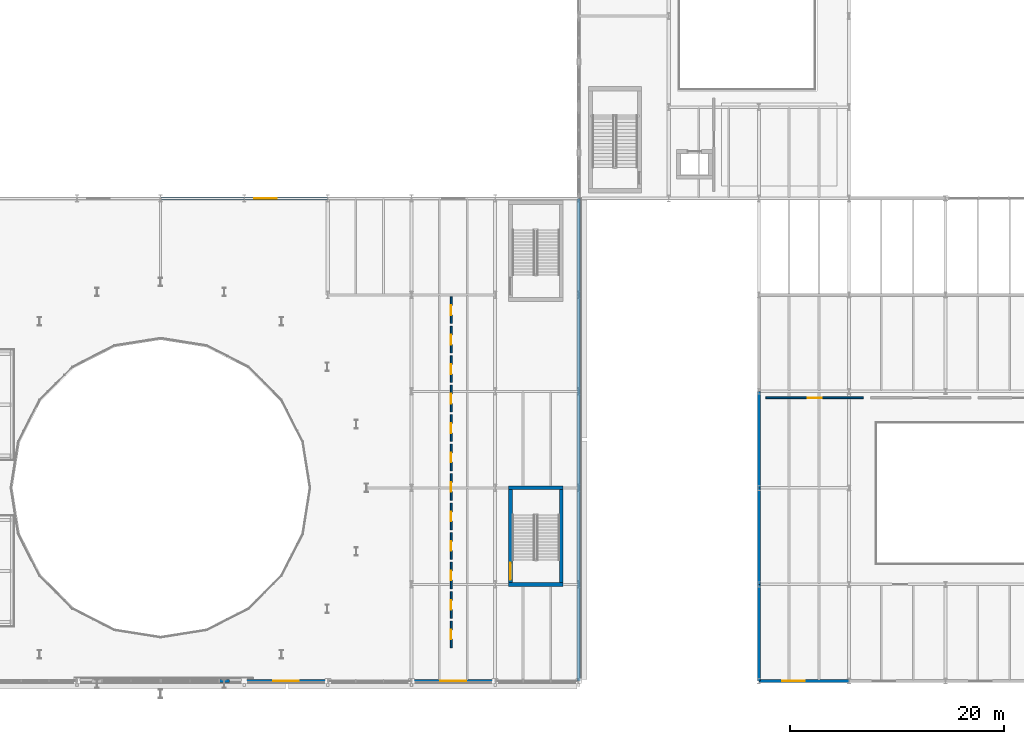
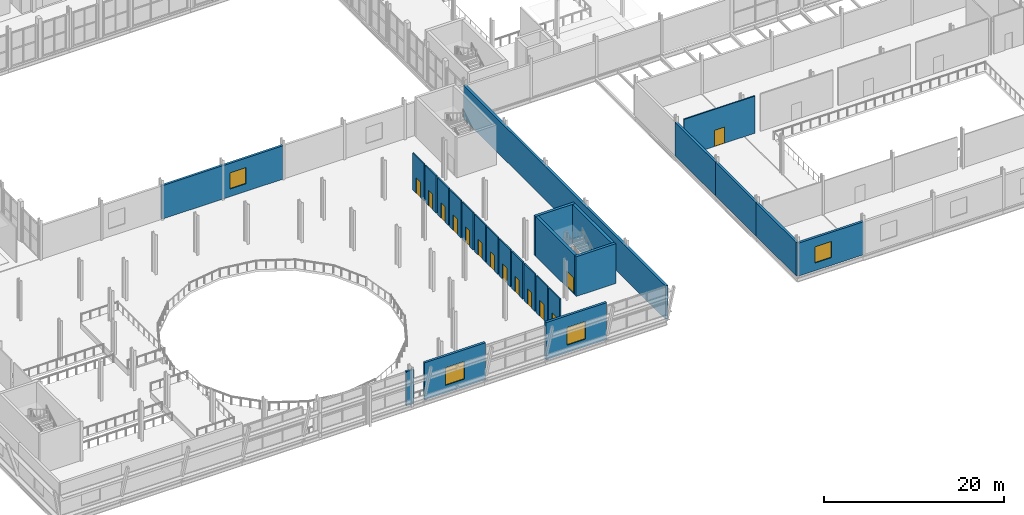
# One storey, part 52 of 78: 26 walls, 14 doors, 4 windows, 18 openings.
"""IFC4 building model written with IfcOpenShell, lengths in metres."""

from ifc_helpers import new_model, si_unit, direction, frame, frame_2d, origin, place, context, subcontext, project, spatial, rectangle, extrude, material, layer, layer_set, type_object, element, fill, save


model = new_model("IFC4")

# Units and contexts
model_context = context("Model", 3, precision=1e-05, world=origin(), true_north=direction((0.0, 1.0)))
body_context = subcontext(model_context, "Body", "Model", "MODEL_VIEW")
ifc_project = project(units=[si_unit("LENGTHUNIT", "METRE"), si_unit("AREAUNIT", "SQUARE_METRE"), si_unit("VOLUMEUNIT", "CUBIC_METRE"), si_unit("PLANEANGLEUNIT", "RADIAN"), si_unit("MASSUNIT", "GRAM", prefix="KILO")], contexts=[model_context])

# Site, building, storey
site_placement = place(None, origin())
site = spatial("IfcSite", under=ifc_project, at=site_placement, CompositionType="ELEMENT")
building_placement = place(site_placement, origin())
building = spatial("IfcBuilding", under=site, at=building_placement, Name="Sefraquen Railside Congress Hotel", CompositionType="ELEMENT")
storey_placement = place(building_placement, frame((0.0, 0.0, 6.0)))
storey = spatial("IfcBuildingStorey", under=building, at=storey_placement, Name="L01", CompositionType="ELEMENT", Elevation=6.0)

# Walls
ifc_material_1 = material(Name="Concrete C50/60", Category="concrete")
ifc_layer_1 = layer(ifc_material_1, 0.35009765625)
ifc_layer_set_1 = layer_set([ifc_layer_1], Name="Concrete C50/60")
wall_type_1 = type_object("IfcWallType", Name="TW-CW-350", PredefinedType="SHEAR", material=ifc_layer_set_1)
for number, where, z_axis, x_axis, name in (
    (1, (96.64990234375, 27.014892578125, 0.0), (0.0, 0.0, 1.0), (1.0, 0.0, 0.0), "Core shear wall ST-C03 N L01"),
    (2, (96.64990234375, 17.985107421875, 0.0), (0.0, 0.0, 1.0), (1.0, 0.0, 0.0), "Core shear wall ST-C03 S L01"),
):
    element("IfcWall", number, at=place(storey_placement, frame(where, z_axis=z_axis, x_axis=x_axis)), inside=storey, type_object=wall_type_1, Name=name, PredefinedType="SHEAR", context=body_context, shape_type="SweptSolid", body=[
        extrude(rectangle(XDim=5.10009765625, YDim=0.35009765625, at=frame_2d((2.550048828125, 0.0))), origin(), (0.0, 0.0, 1.0), 5.39990234375),
    ])

# Wall, opening, door
wall_1_placement = place(storey_placement, frame((96.824951171875, 18.159912109375, 0.0), z_axis=(0.0, 0.0, 1.0), x_axis=(0.0, 1.0, 0.0)))
wall_1 = element("IfcWall", 3, at=wall_1_placement, inside=storey, type_object=wall_type_1, Name="Core shear wall ST-C03 W L01", PredefinedType="SHEAR", context=body_context, shape_type="SweptSolid", body=[
    extrude(rectangle(XDim=8.68017578125, YDim=0.35009765625, at=frame_2d((4.340087890625, 0.0))), origin(), (0.0, 0.0, 1.0), 5.39990234375),
])
opening_1_placement = place(wall_1_placement, frame((0.25, 0.0, 0.0)))
opening_1 = element("IfcOpeningElement", 4, at=opening_1_placement, cuts=wall_1, Name="Opening FD-02", PredefinedType="OPENING", context=body_context, shape_type="SweptSolid", body=[
    extrude(rectangle(XDim=1.60009765625, YDim=2.199951171875, at=frame_2d((0.800048828125, 1.10009765625))), frame((0.0, 0.18505859375, 0.0), z_axis=(0.0, -1.0, 0.0), x_axis=(1.0, 0.0, 0.0)), (0.0, 0.0, 1.0), 0.3701171875),
])
ifc_material_2 = material(Name="Fire-rated steel", Category="steel")
door_type_1 = type_object("IfcDoorType", Name="TD-FD-02", OperationType="NOTDEFINED", PredefinedType="DOOR", material=ifc_material_2)
door_1_placement = place(opening_1_placement, origin())
door_1 = element("IfcDoor", 5, at=door_1_placement, inside=storey, type_object=door_type_1, Name="Pressurized stair ST-C03 fire door L01", OperationType="SINGLE_SWING_LEFT", OverallHeight=2.199951171875, OverallWidth=1.60009765625, PredefinedType="DOOR", context=body_context, shape_type="SweptSolid", body=[
    extrude(rectangle(XDim=1.60009765625, YDim=2.199951171875, at=frame_2d((0.800048828125, 1.10009765625))), frame((0.0, 0.02490234375, 0.0), z_axis=(0.0, -1.0, 0.0), x_axis=(1.0, 0.0, 0.0)), (0.0, 0.0, 1.0), 0.050048828125),
])
fill(opening_1, door_1)

# Walls
wall_2_placement = place(storey_placement, frame((101.574951171875, 18.159912109375, 0.0), z_axis=(0.0, 0.0, 1.0), x_axis=(0.0, 1.0, 0.0)))
element("IfcWall", 6, at=wall_2_placement, inside=storey, type_object=wall_type_1, Name="Core shear wall ST-C03 E L01", PredefinedType="SHEAR", context=body_context, shape_type="SweptSolid", body=[
    extrude(rectangle(XDim=8.68017578125, YDim=0.35009765625, at=frame_2d((4.340087890625, 0.0))), origin(), (0.0, 0.0, 1.0), 5.39990234375),
])
ifc_material_3 = material(Name="Ochre Rabat calcarenite limestone and Concrete C40/50 backing", Category="masonry")
ifc_layer_2 = layer(ifc_material_3, 0.280029296875)
ifc_layer_set_2 = layer_set([ifc_layer_2], Name="Ochre Rabat calcarenite limestone and Concrete C40/50 backing")
wall_type_2 = type_object("IfcWallType", Name="TW-EW-280", PredefinedType="STANDARD", material=ifc_layer_set_2)
wall_3_placement = place(storey_placement, frame((69.653076171875, 9.0, 0.0), z_axis=(0.0, 0.0, 1.0), x_axis=(1.0, 0.0, 0.0)))
element("IfcWall", 7, at=wall_3_placement, inside=storey, type_object=wall_type_2, Name="Congress leaning south curtain wall L01-6 column pier closure 1", PredefinedType="STANDARD", context=body_context, shape_type="SweptSolid", body=[
    extrude(rectangle(XDim=0.9599609375, YDim=0.260009765625, at=frame_2d((0.47998046875, 0.0))), origin(), (0.0, 0.0, 1.0), 4.64990234375),
])

# Wall, opening, window
wall_4_placement = place(storey_placement, frame((64.199951171875, 54.0, 0.0), z_axis=(0.0, 0.0, 1.0), x_axis=(1.0, 0.0, 0.0)))
wall_4 = element("IfcWall", 8, at=wall_4_placement, inside=storey, type_object=wall_type_2, Name="Congress Hall L01 courtyard north facade wall 2", PredefinedType="STANDARD", context=body_context, shape_type="SweptSolid", body=[
    extrude(rectangle(XDim=15.60009765625, YDim=0.280029296875, at=frame_2d((7.800048828125, 0.0))), origin(), (0.0, 0.0, 1.0), 4.5400390625),
])
opening_2_placement = place(wall_4_placement, frame((8.75, 0.0, 1.050048828125)))
opening_2 = element("IfcOpeningElement", 9, at=opening_2_placement, cuts=wall_4, Name="Opening WN-07", PredefinedType="OPENING", context=body_context, shape_type="SweptSolid", body=[
    extrude(rectangle(XDim=2.10009765625, YDim=2.199951171875, at=frame_2d((1.050048828125, 1.10009765625))), frame((0.0, 0.14990234375, 0.0), z_axis=(0.0, -1.0, 0.0), x_axis=(1.0, 0.0, 0.0)), (0.0, 0.0, 1.0), 0.300048828125),
])
ifc_material_4 = material(Name="Solar-control low-E double glazing in bronze-anodised frame", Category="glass")
window_type_1 = type_object("IfcWindowType", Name="TWN-W-07", PartitioningType="DOUBLE_PANEL_VERTICAL", PredefinedType="WINDOW", material=ifc_material_4)
window_1_placement = place(opening_2_placement, origin())
window_1 = element("IfcWindow", 10, at=window_1_placement, inside=storey, type_object=window_type_1, Name="Congress courtyard north window L01-2", OverallHeight=2.199951171875, OverallWidth=2.10009765625, PartitioningType="DOUBLE_PANEL_VERTICAL", PredefinedType="WINDOW", context=body_context, shape_type="SweptSolid", body=[
    extrude(rectangle(XDim=2.10009765625, YDim=2.199951171875, at=frame_2d((1.050048828125, 1.10009765625))), frame((0.0, 0.030029296875, 0.0), z_axis=(0.0, -1.0, 0.0), x_axis=(1.0, 0.0, 0.0)), (0.0, 0.0, 1.0), 0.06005859375),
])
fill(opening_2, window_1)

ifc_layer_3 = layer(ifc_material_3, 0.300048828125)
ifc_layer_set_3 = layer_set([ifc_layer_3], Name="Ochre Rabat calcarenite limestone and Concrete C40/50 backing")
wall_type_3 = type_object("IfcWallType", Name="TW-EW-300", PredefinedType="STANDARD", material=ifc_layer_set_3)
wall_5_placement = place(storey_placement, frame((72.0, 9.0, 0.0), z_axis=(0.0, 0.0, 1.0), x_axis=(1.0, 0.0, 0.0)))
wall_5 = element("IfcWall", 11, at=wall_5_placement, inside=storey, type_object=wall_type_3, Name="Congress Hall L01 south spandrel wall 7", PredefinedType="STANDARD", context=body_context, shape_type="SweptSolid", body=[
    extrude(rectangle(XDim=7.800048828125, YDim=0.300048828125, at=frame_2d((3.89990234375, 0.0))), origin(), (0.0, 0.0, 1.0), 5.050048828125),
])
opening_3_placement = place(wall_5_placement, frame((2.699951171875, 0.0, 1.050048828125)))
opening_3 = element("IfcOpeningElement", 12, at=opening_3_placement, cuts=wall_5, Name="Opening WN-09", PredefinedType="OPENING", context=body_context, shape_type="SweptSolid", body=[
    extrude(rectangle(XDim=2.39990234375, YDim=2.39990234375, at=frame_2d((1.199951171875, 1.199951171875))), frame((0.0, 0.159912109375, 0.0), z_axis=(0.0, -1.0, 0.0), x_axis=(1.0, 0.0, 0.0)), (0.0, 0.0, 1.0), 0.320068359375),
])
window_type_2 = type_object("IfcWindowType", Name="TWN-W-09", PartitioningType="DOUBLE_PANEL_VERTICAL", PredefinedType="WINDOW", material=ifc_material_4)
window_2_placement = place(opening_3_placement, origin())
window_2 = element("IfcWindow", 13, at=window_2_placement, inside=storey, type_object=window_type_2, Name="Congress south arched window L01-7", OverallHeight=2.39990234375, OverallWidth=2.39990234375, PartitioningType="DOUBLE_PANEL_VERTICAL", PredefinedType="WINDOW", context=body_context, shape_type="SweptSolid", body=[
    extrude(rectangle(XDim=2.39990234375, YDim=2.39990234375, at=frame_2d((1.199951171875, 1.199951171875))), frame((0.0, 0.030029296875, 0.0), z_axis=(0.0, -1.0, 0.0), x_axis=(1.0, 0.0, 0.0)), (0.0, 0.0, 1.0), 0.06005859375),
])
fill(opening_3, window_2)

wall_6_placement = place(storey_placement, frame((87.60009765625, 9.0, 0.0), z_axis=(0.0, 0.0, 1.0), x_axis=(1.0, 0.0, 0.0)))
wall_6 = element("IfcWall", 14, at=wall_6_placement, inside=storey, type_object=wall_type_3, Name="Congress Hall L01 south spandrel wall 9", PredefinedType="STANDARD", context=body_context, shape_type="SweptSolid", body=[
    extrude(rectangle(XDim=7.7998046875, YDim=0.300048828125, at=frame_2d((3.89990234375, 0.0))), origin(), (0.0, 0.0, 1.0), 5.050048828125),
])
opening_4_placement = place(wall_6_placement, frame((2.699951171875, 0.0, 1.050048828125)))
opening_4 = element("IfcOpeningElement", 15, at=opening_4_placement, cuts=wall_6, Name="Opening WN-09", PredefinedType="OPENING", context=body_context, shape_type="SweptSolid", body=[
    extrude(rectangle(XDim=2.39990234375, YDim=2.39990234375, at=frame_2d((1.199951171875, 1.199951171875))), frame((0.0, 0.159912109375, 0.0), z_axis=(0.0, -1.0, 0.0), x_axis=(1.0, 0.0, 0.0)), (0.0, 0.0, 1.0), 0.320068359375),
])
window_3_placement = place(opening_4_placement, origin())
window_3 = element("IfcWindow", 16, at=window_3_placement, inside=storey, type_object=window_type_2, Name="Congress south arched window L01-9", OverallHeight=2.39990234375, OverallWidth=2.39990234375, PartitioningType="DOUBLE_PANEL_VERTICAL", PredefinedType="WINDOW", context=body_context, shape_type="SweptSolid", body=[
    extrude(rectangle(XDim=2.39990234375, YDim=2.39990234375, at=frame_2d((1.199951171875, 1.199951171875))), frame((0.0, 0.030029296875, 0.0), z_axis=(0.0, -1.0, 0.0), x_axis=(1.0, 0.0, 0.0)), (0.0, 0.0, 1.0), 0.06005859375),
])
fill(opening_4, window_3)

wall_7_placement = place(storey_placement, frame((120.0, 9.0, 0.0), z_axis=(0.0, 0.0, 1.0), x_axis=(1.0, 0.0, 0.0)))
wall_7 = element("IfcWall", 17, at=wall_7_placement, inside=storey, type_object=wall_type_3, Name="Thermal Spa L01 south limestone wall 1", PredefinedType="STANDARD", context=body_context, shape_type="SweptSolid", body=[
    extrude(rectangle(XDim=8.39990234375, YDim=0.300048828125, at=frame_2d((4.199951171875, 0.0))), origin(), (0.0, 0.0, 1.0), 4.489990234375),
])
opening_5_placement = place(wall_7_placement, frame((2.199951171875, 0.0, 1.050048828125)))
opening_5 = element("IfcOpeningElement", 18, at=opening_5_placement, cuts=wall_7, Name="Opening WN-07", PredefinedType="OPENING", context=body_context, shape_type="SweptSolid", body=[
    extrude(rectangle(XDim=2.10009765625, YDim=2.199951171875, at=frame_2d((1.050048828125, 1.10009765625))), frame((0.0, 0.159912109375, 0.0), z_axis=(0.0, -1.0, 0.0), x_axis=(1.0, 0.0, 0.0)), (0.0, 0.0, 1.0), 0.320068359375),
])
window_4_placement = place(opening_5_placement, origin())
window_4 = element("IfcWindow", 19, at=window_4_placement, inside=storey, type_object=window_type_1, Name="Thermal Spa L01 south window 1", OverallHeight=2.199951171875, OverallWidth=2.10009765625, PartitioningType="DOUBLE_PANEL_VERTICAL", PredefinedType="WINDOW", context=body_context, shape_type="SweptSolid", body=[
    extrude(rectangle(XDim=2.10009765625, YDim=2.199951171875, at=frame_2d((1.050048828125, 1.10009765625))), frame((0.0, 0.030029296875, 0.0), z_axis=(0.0, -1.0, 0.0), x_axis=(1.0, 0.0, 0.0)), (0.0, 0.0, 1.0), 0.06005859375),
])
fill(opening_5, window_4)

# Walls
for number, where, z_axis, x_axis, name in (
    (20, (120.0, 9.0, 0.0), (0.0, 0.0, 1.0), (0.0, 1.0, 0.0), "Thermal Spa L01 west facade wall 1"),
    (21, (120.0, 18.0, 0.0), (0.0, 0.0, 1.0), (0.0, 1.0, 0.0), "Thermal Spa L01 west facade wall 2"),
    (22, (120.0, 27.0, 0.0), (0.0, 0.0, 1.0), (0.0, 1.0, 0.0), "Thermal Spa L01 west facade wall 3"),
):
    element("IfcWall", number, at=place(storey_placement, frame(where, z_axis=z_axis, x_axis=x_axis)), inside=storey, type_object=wall_type_3, Name=name, PredefinedType="STANDARD", context=body_context, shape_type="SweptSolid", body=[
        extrude(rectangle(XDim=9.0, YDim=0.300048828125, at=frame_2d((4.5, 0.0))), origin(), (0.0, 0.0, 1.0), 4.550048828125),
    ])
ifc_layer_4 = layer(ifc_material_3, 0.320068359375)
ifc_layer_set_4 = layer_set([ifc_layer_4], Name="Ochre Rabat calcarenite limestone and Concrete C40/50 backing")
wall_type_4 = type_object("IfcWallType", Name="TW-EW-320", PredefinedType="STANDARD", material=ifc_layer_set_4)
wall_8_placement = place(storey_placement, frame((103.199951171875, 9.0, 0.0), z_axis=(0.0, 0.0, 1.0), x_axis=(0.0, 1.0, 0.0)))
element("IfcWall", 23, at=wall_8_placement, inside=storey, type_object=wall_type_4, Name="Congress Hall L01 east acoustic facade wall", PredefinedType="STANDARD", context=body_context, shape_type="SweptSolid", body=[
    extrude(rectangle(XDim=45.0, YDim=0.320068359375, at=frame_2d((22.5, 0.0))), origin(), (0.0, 0.0, 1.0), 4.550048828125),
])

# Wall, opening, door
ifc_material_5 = material(Name="Moisture-resistant gypsum board", Category="gypsum")
ifc_layer_5 = layer(ifc_material_5, 0.159912109375)
ifc_layer_set_5 = layer_set([ifc_layer_5], Name="Moisture-resistant gypsum board")
wall_type_5 = type_object("IfcWallType", Name="TW-PW-160", PredefinedType="PARTITIONING", material=ifc_layer_set_5)
wall_9_placement = place(storey_placement, frame((120.64990234375, 35.39990234375, 0.0), z_axis=(0.0, 0.0, 1.0), x_axis=(1.0, 0.0, 0.0)))
wall_9 = element("IfcWall", 24, at=wall_9_placement, inside=storey, type_object=wall_type_5, Name="Spa Treatment Room 01 enclosure wall", PredefinedType="PARTITIONING", context=body_context, shape_type="SweptSolid", body=[
    extrude(rectangle(XDim=9.10009765625, YDim=0.159912109375, at=frame_2d((4.550048828125, 0.0))), origin(), (0.0, 0.0, 1.0), 5.050048828125),
])
opening_6_placement = place(wall_9_placement, frame((3.89990234375, 0.0, 0.0)))
opening_6 = element("IfcOpeningElement", 25, at=opening_6_placement, cuts=wall_9, Name="Opening MD-02", PredefinedType="OPENING", context=body_context, shape_type="SweptSolid", body=[
    extrude(rectangle(XDim=1.300048828125, YDim=2.199951171875, at=frame_2d((0.64990234375, 1.10009765625))), frame((0.0, 0.08984375, 0.0), z_axis=(0.0, -1.0, 0.0), x_axis=(1.0, 0.0, 0.0)), (0.0, 0.0, 1.0), 0.179931640625),
])
ifc_material_6 = material(Name="Acoustic cedar veneer", Category="wood")
door_type_2 = type_object("IfcDoorType", Name="TD-MD-02", OperationType="NOTDEFINED", PredefinedType="DOOR", material=ifc_material_6)
door_2_placement = place(opening_6_placement, origin())
door_2 = element("IfcDoor", 26, at=door_2_placement, inside=storey, type_object=door_type_2, Name="Spa Treatment Room 01 entrance door", OperationType="SINGLE_SWING_RIGHT", OverallHeight=2.199951171875, OverallWidth=1.300048828125, PredefinedType="DOOR", context=body_context, shape_type="SweptSolid", body=[
    extrude(rectangle(XDim=1.300048828125, YDim=2.199951171875, at=frame_2d((0.64990234375, 1.10009765625))), frame((0.0, 0.02490234375, 0.0), z_axis=(0.0, -1.0, 0.0), x_axis=(1.0, 0.0, 0.0)), (0.0, 0.0, 1.0), 0.050048828125),
])
fill(opening_6, door_2)

wall_10_placement = place(storey_placement, frame((91.300048828125, 12.080078125, 0.0), z_axis=(0.0, 0.0, 1.0), x_axis=(0.0, 1.0, 0.0)))
wall_10 = element("IfcWall", 27, at=wall_10_placement, inside=storey, type_object=wall_type_5, Name="Simultaneous Interpretation Booth 01 enclosure wall", PredefinedType="PARTITIONING", context=body_context, shape_type="SweptSolid", body=[
    extrude(rectangle(XDim=2.489990234375, YDim=0.159912109375, at=frame_2d((1.2451171875, 0.0))), origin(), (0.0, 0.0, 1.0), 5.050048828125),
])
opening_7_placement = place(wall_10_placement, frame((0.784912109375, 0.0, 0.0)))
opening_7 = element("IfcOpeningElement", 28, at=opening_7_placement, cuts=wall_10, Name="Opening MD-03", PredefinedType="OPENING", context=body_context, shape_type="SweptSolid", body=[
    extrude(rectangle(XDim=0.919921875, YDim=2.1201171875, at=frame_2d((0.4599609375, 1.06005859375))), frame((0.0, 0.08984375, 0.0), z_axis=(0.0, -1.0, 0.0), x_axis=(1.0, 0.0, 0.0)), (0.0, 0.0, 1.0), 0.179931640625),
])
ifc_material_7 = material(Name="Acoustic steel-timber composite", Category="steel")
door_type_3 = type_object("IfcDoorType", Name="TD-MD-03", OperationType="NOTDEFINED", PredefinedType="DOOR", material=ifc_material_7)
door_3_placement = place(opening_7_placement, origin())
door_3 = element("IfcDoor", 29, at=door_3_placement, inside=storey, type_object=door_type_3, Name="Simultaneous Interpretation Booth 01 entrance door", OperationType="SINGLE_SWING_RIGHT", OverallHeight=2.1201171875, OverallWidth=0.919921875, PredefinedType="DOOR", context=body_context, shape_type="SweptSolid", body=[
    extrude(rectangle(XDim=0.919921875, YDim=2.1201171875, at=frame_2d((0.4599609375, 1.06005859375))), frame((0.0, 0.02490234375, 0.0), z_axis=(0.0, -1.0, 0.0), x_axis=(1.0, 0.0, 0.0)), (0.0, 0.0, 1.0), 0.050048828125),
])
fill(opening_7, door_3)

wall_11_placement = place(storey_placement, frame((91.300048828125, 14.830078125, 0.0), z_axis=(0.0, 0.0, 1.0), x_axis=(0.0, 1.0, 0.0)))
wall_11 = element("IfcWall", 30, at=wall_11_placement, inside=storey, type_object=wall_type_5, Name="Simultaneous Interpretation Booth 02 enclosure wall", PredefinedType="PARTITIONING", context=body_context, shape_type="SweptSolid", body=[
    extrude(rectangle(XDim=2.489990234375, YDim=0.159912109375, at=frame_2d((1.2451171875, 0.0))), origin(), (0.0, 0.0, 1.0), 5.050048828125),
])
opening_8_placement = place(wall_11_placement, frame((0.784912109375, 0.0, 0.0)))
opening_8 = element("IfcOpeningElement", 31, at=opening_8_placement, cuts=wall_11, Name="Opening MD-03", PredefinedType="OPENING", context=body_context, shape_type="SweptSolid", body=[
    extrude(rectangle(XDim=0.919921875, YDim=2.1201171875, at=frame_2d((0.4599609375, 1.06005859375))), frame((0.0, 0.08984375, 0.0), z_axis=(0.0, -1.0, 0.0), x_axis=(1.0, 0.0, 0.0)), (0.0, 0.0, 1.0), 0.179931640625),
])
door_4_placement = place(opening_8_placement, origin())
door_4 = element("IfcDoor", 32, at=door_4_placement, inside=storey, type_object=door_type_3, Name="Simultaneous Interpretation Booth 02 entrance door", OperationType="SINGLE_SWING_LEFT", OverallHeight=2.1201171875, OverallWidth=0.919921875, PredefinedType="DOOR", context=body_context, shape_type="SweptSolid", body=[
    extrude(rectangle(XDim=0.919921875, YDim=2.1201171875, at=frame_2d((0.4599609375, 1.06005859375))), frame((0.0, 0.02490234375, 0.0), z_axis=(0.0, -1.0, 0.0), x_axis=(1.0, 0.0, 0.0)), (0.0, 0.0, 1.0), 0.050048828125),
])
fill(opening_8, door_4)

wall_12_placement = place(storey_placement, frame((91.300048828125, 17.580078125, 0.0), z_axis=(0.0, 0.0, 1.0), x_axis=(0.0, 1.0, 0.0)))
wall_12 = element("IfcWall", 33, at=wall_12_placement, inside=storey, type_object=wall_type_5, Name="Simultaneous Interpretation Booth 03 enclosure wall", PredefinedType="PARTITIONING", context=body_context, shape_type="SweptSolid", body=[
    extrude(rectangle(XDim=2.489990234375, YDim=0.159912109375, at=frame_2d((1.2451171875, 0.0))), origin(), (0.0, 0.0, 1.0), 5.050048828125),
])
opening_9_placement = place(wall_12_placement, frame((0.784912109375, 0.0, 0.0)))
opening_9 = element("IfcOpeningElement", 34, at=opening_9_placement, cuts=wall_12, Name="Opening MD-03", PredefinedType="OPENING", context=body_context, shape_type="SweptSolid", body=[
    extrude(rectangle(XDim=0.919921875, YDim=2.1201171875, at=frame_2d((0.4599609375, 1.06005859375))), frame((0.0, 0.08984375, 0.0), z_axis=(0.0, -1.0, 0.0), x_axis=(1.0, 0.0, 0.0)), (0.0, 0.0, 1.0), 0.179931640625),
])
door_5_placement = place(opening_9_placement, origin())
door_5 = element("IfcDoor", 35, at=door_5_placement, inside=storey, type_object=door_type_3, Name="Simultaneous Interpretation Booth 03 entrance door", OperationType="SINGLE_SWING_RIGHT", OverallHeight=2.1201171875, OverallWidth=0.919921875, PredefinedType="DOOR", context=body_context, shape_type="SweptSolid", body=[
    extrude(rectangle(XDim=0.919921875, YDim=2.1201171875, at=frame_2d((0.4599609375, 1.06005859375))), frame((0.0, 0.02490234375, 0.0), z_axis=(0.0, -1.0, 0.0), x_axis=(1.0, 0.0, 0.0)), (0.0, 0.0, 1.0), 0.050048828125),
])
fill(opening_9, door_5)

wall_13_placement = place(storey_placement, frame((91.300048828125, 20.330078125, 0.0), z_axis=(0.0, 0.0, 1.0), x_axis=(0.0, 1.0, 0.0)))
wall_13 = element("IfcWall", 36, at=wall_13_placement, inside=storey, type_object=wall_type_5, Name="Simultaneous Interpretation Booth 04 enclosure wall", PredefinedType="PARTITIONING", context=body_context, shape_type="SweptSolid", body=[
    extrude(rectangle(XDim=2.489990234375, YDim=0.159912109375, at=frame_2d((1.2451171875, 0.0))), origin(), (0.0, 0.0, 1.0), 5.050048828125),
])
opening_10_placement = place(wall_13_placement, frame((0.784912109375, 0.0, 0.0)))
opening_10 = element("IfcOpeningElement", 37, at=opening_10_placement, cuts=wall_13, Name="Opening MD-03", PredefinedType="OPENING", context=body_context, shape_type="SweptSolid", body=[
    extrude(rectangle(XDim=0.919921875, YDim=2.1201171875, at=frame_2d((0.4599609375, 1.06005859375))), frame((0.0, 0.08984375, 0.0), z_axis=(0.0, -1.0, 0.0), x_axis=(1.0, 0.0, 0.0)), (0.0, 0.0, 1.0), 0.179931640625),
])
door_6_placement = place(opening_10_placement, origin())
door_6 = element("IfcDoor", 38, at=door_6_placement, inside=storey, type_object=door_type_3, Name="Simultaneous Interpretation Booth 04 entrance door", OperationType="SINGLE_SWING_LEFT", OverallHeight=2.1201171875, OverallWidth=0.919921875, PredefinedType="DOOR", context=body_context, shape_type="SweptSolid", body=[
    extrude(rectangle(XDim=0.919921875, YDim=2.1201171875, at=frame_2d((0.4599609375, 1.06005859375))), frame((0.0, 0.02490234375, 0.0), z_axis=(0.0, -1.0, 0.0), x_axis=(1.0, 0.0, 0.0)), (0.0, 0.0, 1.0), 0.050048828125),
])
fill(opening_10, door_6)

wall_14_placement = place(storey_placement, frame((91.300048828125, 23.080078125, 0.0), z_axis=(0.0, 0.0, 1.0), x_axis=(0.0, 1.0, 0.0)))
wall_14 = element("IfcWall", 39, at=wall_14_placement, inside=storey, type_object=wall_type_5, Name="Simultaneous Interpretation Booth 05 enclosure wall", PredefinedType="PARTITIONING", context=body_context, shape_type="SweptSolid", body=[
    extrude(rectangle(XDim=2.489990234375, YDim=0.159912109375, at=frame_2d((1.2451171875, 0.0))), origin(), (0.0, 0.0, 1.0), 5.050048828125),
])
opening_11_placement = place(wall_14_placement, frame((0.784912109375, 0.0, 0.0)))
opening_11 = element("IfcOpeningElement", 40, at=opening_11_placement, cuts=wall_14, Name="Opening MD-03", PredefinedType="OPENING", context=body_context, shape_type="SweptSolid", body=[
    extrude(rectangle(XDim=0.919921875, YDim=2.1201171875, at=frame_2d((0.4599609375, 1.06005859375))), frame((0.0, 0.08984375, 0.0), z_axis=(0.0, -1.0, 0.0), x_axis=(1.0, 0.0, 0.0)), (0.0, 0.0, 1.0), 0.179931640625),
])
door_7_placement = place(opening_11_placement, origin())
door_7 = element("IfcDoor", 41, at=door_7_placement, inside=storey, type_object=door_type_3, Name="Simultaneous Interpretation Booth 05 entrance door", OperationType="SINGLE_SWING_RIGHT", OverallHeight=2.1201171875, OverallWidth=0.919921875, PredefinedType="DOOR", context=body_context, shape_type="SweptSolid", body=[
    extrude(rectangle(XDim=0.919921875, YDim=2.1201171875, at=frame_2d((0.4599609375, 1.06005859375))), frame((0.0, 0.02490234375, 0.0), z_axis=(0.0, -1.0, 0.0), x_axis=(1.0, 0.0, 0.0)), (0.0, 0.0, 1.0), 0.050048828125),
])
fill(opening_11, door_7)

wall_15_placement = place(storey_placement, frame((91.300048828125, 25.830078125, 0.0), z_axis=(0.0, 0.0, 1.0), x_axis=(0.0, 1.0, 0.0)))
wall_15 = element("IfcWall", 42, at=wall_15_placement, inside=storey, type_object=wall_type_5, Name="Simultaneous Interpretation Booth 06 enclosure wall", PredefinedType="PARTITIONING", context=body_context, shape_type="SweptSolid", body=[
    extrude(rectangle(XDim=2.489990234375, YDim=0.159912109375, at=frame_2d((1.2451171875, 0.0))), origin(), (0.0, 0.0, 1.0), 5.050048828125),
])
opening_12_placement = place(wall_15_placement, frame((0.784912109375, 0.0, 0.0)))
opening_12 = element("IfcOpeningElement", 43, at=opening_12_placement, cuts=wall_15, Name="Opening MD-03", PredefinedType="OPENING", context=body_context, shape_type="SweptSolid", body=[
    extrude(rectangle(XDim=0.919921875, YDim=2.1201171875, at=frame_2d((0.4599609375, 1.06005859375))), frame((0.0, 0.08984375, 0.0), z_axis=(0.0, -1.0, 0.0), x_axis=(1.0, 0.0, 0.0)), (0.0, 0.0, 1.0), 0.179931640625),
])
door_8_placement = place(opening_12_placement, origin())
door_8 = element("IfcDoor", 44, at=door_8_placement, inside=storey, type_object=door_type_3, Name="Simultaneous Interpretation Booth 06 entrance door", OperationType="SINGLE_SWING_LEFT", OverallHeight=2.1201171875, OverallWidth=0.919921875, PredefinedType="DOOR", context=body_context, shape_type="SweptSolid", body=[
    extrude(rectangle(XDim=0.919921875, YDim=2.1201171875, at=frame_2d((0.4599609375, 1.06005859375))), frame((0.0, 0.02490234375, 0.0), z_axis=(0.0, -1.0, 0.0), x_axis=(1.0, 0.0, 0.0)), (0.0, 0.0, 1.0), 0.050048828125),
])
fill(opening_12, door_8)

wall_16_placement = place(storey_placement, frame((91.300048828125, 28.580078125, 0.0), z_axis=(0.0, 0.0, 1.0), x_axis=(0.0, 1.0, 0.0)))
wall_16 = element("IfcWall", 45, at=wall_16_placement, inside=storey, type_object=wall_type_5, Name="Simultaneous Interpretation Booth 07 enclosure wall", PredefinedType="PARTITIONING", context=body_context, shape_type="SweptSolid", body=[
    extrude(rectangle(XDim=2.489990234375, YDim=0.159912109375, at=frame_2d((1.2451171875, 0.0))), origin(), (0.0, 0.0, 1.0), 5.050048828125),
])
opening_13_placement = place(wall_16_placement, frame((0.784912109375, 0.0, 0.0)))
opening_13 = element("IfcOpeningElement", 46, at=opening_13_placement, cuts=wall_16, Name="Opening MD-03", PredefinedType="OPENING", context=body_context, shape_type="SweptSolid", body=[
    extrude(rectangle(XDim=0.919921875, YDim=2.1201171875, at=frame_2d((0.4599609375, 1.06005859375))), frame((0.0, 0.08984375, 0.0), z_axis=(0.0, -1.0, 0.0), x_axis=(1.0, 0.0, 0.0)), (0.0, 0.0, 1.0), 0.179931640625),
])
door_9_placement = place(opening_13_placement, origin())
door_9 = element("IfcDoor", 47, at=door_9_placement, inside=storey, type_object=door_type_3, Name="Simultaneous Interpretation Booth 07 entrance door", OperationType="SINGLE_SWING_RIGHT", OverallHeight=2.1201171875, OverallWidth=0.919921875, PredefinedType="DOOR", context=body_context, shape_type="SweptSolid", body=[
    extrude(rectangle(XDim=0.919921875, YDim=2.1201171875, at=frame_2d((0.4599609375, 1.06005859375))), frame((0.0, 0.02490234375, 0.0), z_axis=(0.0, -1.0, 0.0), x_axis=(1.0, 0.0, 0.0)), (0.0, 0.0, 1.0), 0.050048828125),
])
fill(opening_13, door_9)

wall_17_placement = place(storey_placement, frame((91.300048828125, 31.330078125, 0.0), z_axis=(0.0, 0.0, 1.0), x_axis=(0.0, 1.0, 0.0)))
wall_17 = element("IfcWall", 48, at=wall_17_placement, inside=storey, type_object=wall_type_5, Name="Simultaneous Interpretation Booth 08 enclosure wall", PredefinedType="PARTITIONING", context=body_context, shape_type="SweptSolid", body=[
    extrude(rectangle(XDim=2.489990234375, YDim=0.159912109375, at=frame_2d((1.2451171875, 0.0))), origin(), (0.0, 0.0, 1.0), 5.050048828125),
])
opening_14_placement = place(wall_17_placement, frame((0.784912109375, 0.0, 0.0)))
opening_14 = element("IfcOpeningElement", 49, at=opening_14_placement, cuts=wall_17, Name="Opening MD-03", PredefinedType="OPENING", context=body_context, shape_type="SweptSolid", body=[
    extrude(rectangle(XDim=0.919921875, YDim=2.1201171875, at=frame_2d((0.4599609375, 1.06005859375))), frame((0.0, 0.08984375, 0.0), z_axis=(0.0, -1.0, 0.0), x_axis=(1.0, 0.0, 0.0)), (0.0, 0.0, 1.0), 0.179931640625),
])
door_10_placement = place(opening_14_placement, origin())
door_10 = element("IfcDoor", 50, at=door_10_placement, inside=storey, type_object=door_type_3, Name="Simultaneous Interpretation Booth 08 entrance door", OperationType="SINGLE_SWING_LEFT", OverallHeight=2.1201171875, OverallWidth=0.919921875, PredefinedType="DOOR", context=body_context, shape_type="SweptSolid", body=[
    extrude(rectangle(XDim=0.919921875, YDim=2.1201171875, at=frame_2d((0.4599609375, 1.06005859375))), frame((0.0, 0.02490234375, 0.0), z_axis=(0.0, -1.0, 0.0), x_axis=(1.0, 0.0, 0.0)), (0.0, 0.0, 1.0), 0.050048828125),
])
fill(opening_14, door_10)

wall_18_placement = place(storey_placement, frame((91.300048828125, 34.080078125, 0.0), z_axis=(0.0, 0.0, 1.0), x_axis=(0.0, 1.0, 0.0)))
wall_18 = element("IfcWall", 51, at=wall_18_placement, inside=storey, type_object=wall_type_5, Name="Simultaneous Interpretation Booth 09 enclosure wall", PredefinedType="PARTITIONING", context=body_context, shape_type="SweptSolid", body=[
    extrude(rectangle(XDim=2.489990234375, YDim=0.159912109375, at=frame_2d((1.2451171875, 0.0))), origin(), (0.0, 0.0, 1.0), 5.050048828125),
])
opening_15_placement = place(wall_18_placement, frame((0.784912109375, 0.0, 0.0)))
opening_15 = element("IfcOpeningElement", 52, at=opening_15_placement, cuts=wall_18, Name="Opening MD-03", PredefinedType="OPENING", context=body_context, shape_type="SweptSolid", body=[
    extrude(rectangle(XDim=0.919921875, YDim=2.1201171875, at=frame_2d((0.4599609375, 1.06005859375))), frame((0.0, 0.08984375, 0.0), z_axis=(0.0, -1.0, 0.0), x_axis=(1.0, 0.0, 0.0)), (0.0, 0.0, 1.0), 0.179931640625),
])
door_11_placement = place(opening_15_placement, origin())
door_11 = element("IfcDoor", 53, at=door_11_placement, inside=storey, type_object=door_type_3, Name="Simultaneous Interpretation Booth 09 entrance door", OperationType="SINGLE_SWING_RIGHT", OverallHeight=2.1201171875, OverallWidth=0.919921875, PredefinedType="DOOR", context=body_context, shape_type="SweptSolid", body=[
    extrude(rectangle(XDim=0.919921875, YDim=2.1201171875, at=frame_2d((0.4599609375, 1.06005859375))), frame((0.0, 0.02490234375, 0.0), z_axis=(0.0, -1.0, 0.0), x_axis=(1.0, 0.0, 0.0)), (0.0, 0.0, 1.0), 0.050048828125),
])
fill(opening_15, door_11)

wall_19_placement = place(storey_placement, frame((91.300048828125, 36.830078125, 0.0), z_axis=(0.0, 0.0, 1.0), x_axis=(0.0, 1.0, 0.0)))
wall_19 = element("IfcWall", 54, at=wall_19_placement, inside=storey, type_object=wall_type_5, Name="Simultaneous Interpretation Booth 10 enclosure wall", PredefinedType="PARTITIONING", context=body_context, shape_type="SweptSolid", body=[
    extrude(rectangle(XDim=2.489990234375, YDim=0.159912109375, at=frame_2d((1.2451171875, 0.0))), origin(), (0.0, 0.0, 1.0), 5.050048828125),
])
opening_16_placement = place(wall_19_placement, frame((0.784912109375, 0.0, 0.0)))
opening_16 = element("IfcOpeningElement", 55, at=opening_16_placement, cuts=wall_19, Name="Opening MD-03", PredefinedType="OPENING", context=body_context, shape_type="SweptSolid", body=[
    extrude(rectangle(XDim=0.919921875, YDim=2.1201171875, at=frame_2d((0.4599609375, 1.06005859375))), frame((0.0, 0.08984375, 0.0), z_axis=(0.0, -1.0, 0.0), x_axis=(1.0, 0.0, 0.0)), (0.0, 0.0, 1.0), 0.179931640625),
])
door_12_placement = place(opening_16_placement, origin())
door_12 = element("IfcDoor", 56, at=door_12_placement, inside=storey, type_object=door_type_3, Name="Simultaneous Interpretation Booth 10 entrance door", OperationType="SINGLE_SWING_LEFT", OverallHeight=2.1201171875, OverallWidth=0.919921875, PredefinedType="DOOR", context=body_context, shape_type="SweptSolid", body=[
    extrude(rectangle(XDim=0.919921875, YDim=2.1201171875, at=frame_2d((0.4599609375, 1.06005859375))), frame((0.0, 0.02490234375, 0.0), z_axis=(0.0, -1.0, 0.0), x_axis=(1.0, 0.0, 0.0)), (0.0, 0.0, 1.0), 0.050048828125),
])
fill(opening_16, door_12)

wall_20_placement = place(storey_placement, frame((91.300048828125, 39.580078125, 0.0), z_axis=(0.0, 0.0, 1.0), x_axis=(0.0, 1.0, 0.0)))
wall_20 = element("IfcWall", 57, at=wall_20_placement, inside=storey, type_object=wall_type_5, Name="Simultaneous Interpretation Booth 11 enclosure wall", PredefinedType="PARTITIONING", context=body_context, shape_type="SweptSolid", body=[
    extrude(rectangle(XDim=2.489990234375, YDim=0.159912109375, at=frame_2d((1.2451171875, 0.0))), origin(), (0.0, 0.0, 1.0), 5.050048828125),
])
opening_17_placement = place(wall_20_placement, frame((0.784912109375, 0.0, 0.0)))
opening_17 = element("IfcOpeningElement", 58, at=opening_17_placement, cuts=wall_20, Name="Opening MD-03", PredefinedType="OPENING", context=body_context, shape_type="SweptSolid", body=[
    extrude(rectangle(XDim=0.919921875, YDim=2.1201171875, at=frame_2d((0.4599609375, 1.06005859375))), frame((0.0, 0.08984375, 0.0), z_axis=(0.0, -1.0, 0.0), x_axis=(1.0, 0.0, 0.0)), (0.0, 0.0, 1.0), 0.179931640625),
])
door_13_placement = place(opening_17_placement, origin())
door_13 = element("IfcDoor", 59, at=door_13_placement, inside=storey, type_object=door_type_3, Name="Simultaneous Interpretation Booth 11 entrance door", OperationType="SINGLE_SWING_RIGHT", OverallHeight=2.1201171875, OverallWidth=0.919921875, PredefinedType="DOOR", context=body_context, shape_type="SweptSolid", body=[
    extrude(rectangle(XDim=0.919921875, YDim=2.1201171875, at=frame_2d((0.4599609375, 1.06005859375))), frame((0.0, 0.02490234375, 0.0), z_axis=(0.0, -1.0, 0.0), x_axis=(1.0, 0.0, 0.0)), (0.0, 0.0, 1.0), 0.050048828125),
])
fill(opening_17, door_13)

wall_21_placement = place(storey_placement, frame((91.300048828125, 42.330078125, 0.0), z_axis=(0.0, 0.0, 1.0), x_axis=(0.0, 1.0, 0.0)))
wall_21 = element("IfcWall", 60, at=wall_21_placement, inside=storey, type_object=wall_type_5, Name="Simultaneous Interpretation Booth 12 enclosure wall", PredefinedType="PARTITIONING", context=body_context, shape_type="SweptSolid", body=[
    extrude(rectangle(XDim=2.489990234375, YDim=0.159912109375, at=frame_2d((1.2451171875, 0.0))), origin(), (0.0, 0.0, 1.0), 5.050048828125),
])
opening_18_placement = place(wall_21_placement, frame((0.784912109375, 0.0, 0.0)))
opening_18 = element("IfcOpeningElement", 61, at=opening_18_placement, cuts=wall_21, Name="Opening MD-03", PredefinedType="OPENING", context=body_context, shape_type="SweptSolid", body=[
    extrude(rectangle(XDim=0.919921875, YDim=2.1201171875, at=frame_2d((0.4599609375, 1.06005859375))), frame((0.0, 0.08984375, 0.0), z_axis=(0.0, -1.0, 0.0), x_axis=(1.0, 0.0, 0.0)), (0.0, 0.0, 1.0), 0.179931640625),
])
door_14_placement = place(opening_18_placement, origin())
door_14 = element("IfcDoor", 62, at=door_14_placement, inside=storey, type_object=door_type_3, Name="Simultaneous Interpretation Booth 12 entrance door", OperationType="SINGLE_SWING_LEFT", OverallHeight=2.1201171875, OverallWidth=0.919921875, PredefinedType="DOOR", context=body_context, shape_type="SweptSolid", body=[
    extrude(rectangle(XDim=0.919921875, YDim=2.1201171875, at=frame_2d((0.4599609375, 1.06005859375))), frame((0.0, 0.02490234375, 0.0), z_axis=(0.0, -1.0, 0.0), x_axis=(1.0, 0.0, 0.0)), (0.0, 0.0, 1.0), 0.050048828125),
])
fill(opening_18, door_14)

save(model, "model.ifc")
